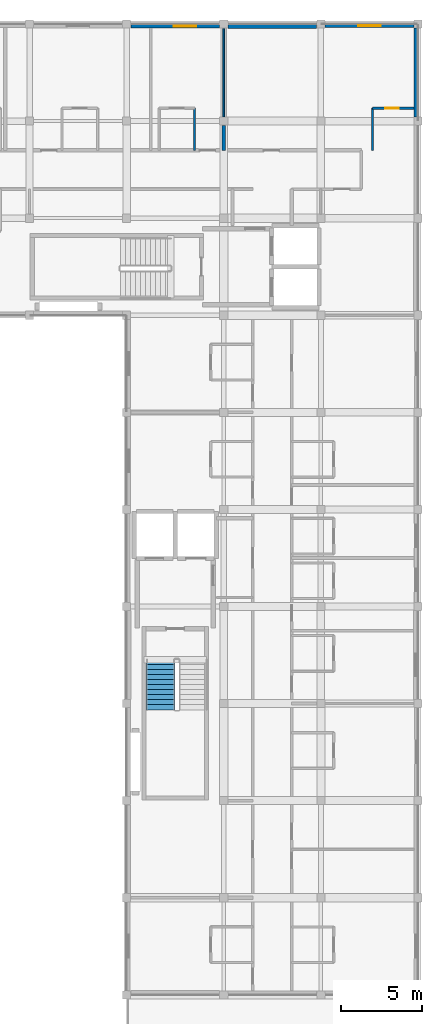
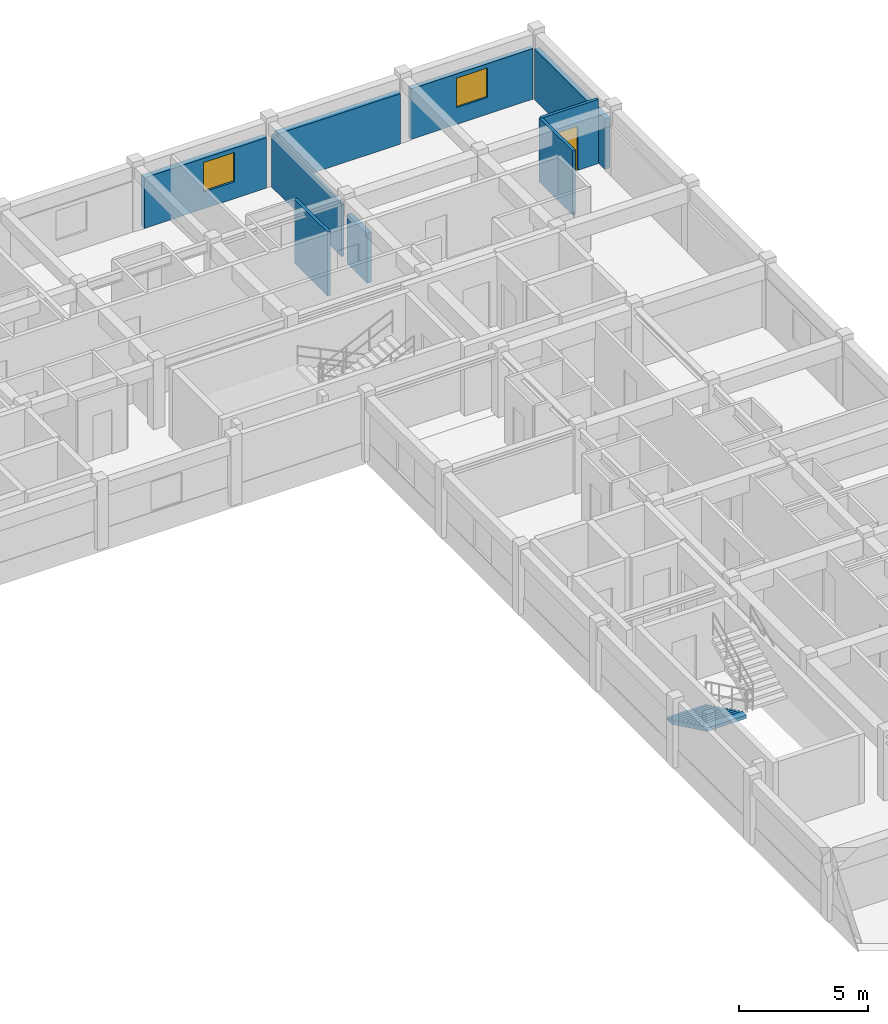
# One storey, part 9 of 14: 9 walls, 2 windows, 1 door, 1 stair flight, 3 openings, 1 element without a shape of its own.
"""IFC4 building model written with IfcOpenShell, lengths in metres."""

from ifc_helpers import new_model, si_unit, direction, frame, frame_2d, origin, place, context, subcontext, project, spatial, polyline, rectangle, outline, extrude, material, layer, layer_set, type_object, element, fill, aggregate, save


model = new_model("IFC4")

# Units and contexts
model_context = context("Model", 3, precision=1e-05, world=origin(), true_north=direction((0.0, 1.0)))
body_context = subcontext(model_context, "Body", "Model", "MODEL_VIEW")
ifc_project = project(units=[si_unit("LENGTHUNIT", "METRE"), si_unit("AREAUNIT", "SQUARE_METRE"), si_unit("VOLUMEUNIT", "CUBIC_METRE"), si_unit("PLANEANGLEUNIT", "RADIAN"), si_unit("MASSUNIT", "GRAM", prefix="KILO"), si_unit("THERMODYNAMICTEMPERATUREUNIT", "KELVIN"), si_unit("POWERUNIT", "WATT")], contexts=[model_context])

# Site, building, storey
site_placement = place(None, origin())
site = spatial("IfcSite", under=ifc_project, at=site_placement, CompositionType="ELEMENT")
building_placement = place(site_placement, origin())
building = spatial("IfcBuilding", under=site, at=building_placement, Name="Phaisarnlok Congress Hotel", CompositionType="ELEMENT")
storey_placement = place(building_placement, frame((0.0, 0.0, 44.699951171875)))
storey = spatial("IfcBuildingStorey", under=building, at=storey_placement, Name="L11", CompositionType="ELEMENT", Elevation=44.699951171875)

# Wall, opening, window
ifc_material_1 = material(Name="Concrete C40/50", Category="concrete")
ifc_layer_1 = layer(ifc_material_1, 0.2099609375, Name="Concrete C40/50")
ifc_layer_set_1 = layer_set([ifc_layer_1], Name="Concrete C40/50")
wall_type_1 = type_object("IfcWallType", Name="WL-EXT-210", PredefinedType="SOLIDWALL", material=ifc_layer_set_1)
wall_1_placement = place(storey_placement, frame((179.7451171875, 125.89501953125, 0.0), z_axis=(0.0, 0.0, 1.0), x_axis=(-1.0, 0.0, 0.0)))
wall_1 = element("IfcWall", 1, at=wall_1_placement, inside=storey, type_object=wall_type_1, Name="Exterior wall EW-07 (L11)", PredefinedType="SOLIDWALL", context=body_context, shape_type="SweptSolid", body=[
    extrude(rectangle(XDim=5.490234375, YDim=0.2099609375, at=frame_2d((2.7451171875, 0.0))), origin(), (0.0, 0.0, 1.0), 2.400146484375),
])
opening_1_placement = place(wall_1_placement, frame((2.044921875, 0.0, 0.800048828125)))
opening_1 = element("IfcOpeningElement", 2, at=opening_1_placement, cuts=wall_1, Name="Opening W-13", PredefinedType="OPENING", context=body_context, shape_type="SweptSolid", body=[
    extrude(rectangle(XDim=1.39990234375, YDim=1.39990234375, at=frame_2d((0.699951171875, 0.699951171875))), frame((0.0, 0.114990234375, 0.0), z_axis=(0.0, -1.0, 0.0), x_axis=(1.0, 0.0, 0.0)), (0.0, 0.0, 1.0), 0.22998046875),
])
ifc_material_2 = material(Name="Thermally Broken Aluminium & Low-E Double Glazing", Category="aluminium")
window_type = type_object("IfcWindowType", Name="WIN-POD-1400", PartitioningType="SINGLE_PANEL", PredefinedType="WINDOW", material=ifc_material_2)
window_1_placement = place(opening_1_placement, origin())
window_1 = element("IfcWindow", 3, at=window_1_placement, inside=storey, type_object=window_type, Name="Guestroom window W-13 (L11)", OverallHeight=1.39990234375, OverallWidth=1.39990234375, PartitioningType="SINGLE_PANEL", PredefinedType="WINDOW", context=body_context, shape_type="SweptSolid", body=[
    extrude(rectangle(XDim=1.39990234375, YDim=1.39990234375, at=frame_2d((0.699951171875, 0.699951171875))), frame((0.0, 0.030029296875, 0.0), z_axis=(0.0, -1.0, 0.0), x_axis=(1.0, 0.0, 0.0)), (0.0, 0.0, 1.0), 0.06005859375),
])
fill(opening_1, window_1)

# Wall
ifc_layer_2 = layer(ifc_material_1, 0.22998046875, Name="Concrete C40/50")
ifc_layer_set_2 = layer_set([ifc_layer_2], Name="Concrete C40/50")
wall_type_2 = type_object("IfcWallType", Name="WL-EXT-230", PredefinedType="SOLIDWALL", material=ifc_layer_set_2)
wall_2_placement = place(storey_placement, frame((179.885009765625, 120.2548828125, 0.0), z_axis=(0.0, 0.0, 1.0), x_axis=(0.0, 1.0, 0.0)))
element("IfcWall", 4, at=wall_2_placement, inside=storey, type_object=wall_type_2, Name="Exterior wall EW-06 (L11)", PredefinedType="SOLIDWALL", context=body_context, shape_type="SweptSolid", body=[
    extrude(rectangle(XDim=5.490234375, YDim=0.22998046875, at=frame_2d((2.7451171875, 0.0))), origin(), (0.0, 0.0, 1.0), 2.400146484375),
])

# Wall, opening, window
ifc_layer_3 = layer(ifc_material_1, 0.25, Name="Concrete C40/50")
ifc_layer_set_3 = layer_set([ifc_layer_3], Name="Concrete C40/50")
wall_type_3 = type_object("IfcWallType", Name="WL-EXT-250", PredefinedType="SOLIDWALL", material=ifc_layer_set_3)
wall_3_placement = place(storey_placement, frame((167.7451171875, 125.875, 0.0), z_axis=(0.0, 0.0, 1.0), x_axis=(-1.0, 0.0, 0.0)))
wall_3 = element("IfcWall", 5, at=wall_3_placement, inside=storey, type_object=wall_type_3, Name="Exterior wall EW-05 (L11)", PredefinedType="SOLIDWALL", context=body_context, shape_type="SweptSolid", body=[
    extrude(rectangle(XDim=5.490234375, YDim=0.25, at=frame_2d((2.7451171875, 0.0))), origin(), (0.0, 0.0, 1.0), 2.400146484375),
])
opening_2_placement = place(wall_3_placement, frame((1.431884765625, 0.0, 0.800048828125)))
opening_2 = element("IfcOpeningElement", 6, at=opening_2_placement, cuts=wall_3, Name="Opening W-13", PredefinedType="OPENING", context=body_context, shape_type="SweptSolid", body=[
    extrude(rectangle(XDim=1.39990234375, YDim=1.39990234375, at=frame_2d((0.699951171875, 0.699951171875))), frame((0.0, 0.135009765625, 0.0), z_axis=(0.0, -1.0, 0.0), x_axis=(1.0, 0.0, 0.0)), (0.0, 0.0, 1.0), 0.27001953125),
])
window_2_placement = place(opening_2_placement, origin())
window_2 = element("IfcWindow", 7, at=window_2_placement, inside=storey, type_object=window_type, Name="Guestroom window W-13 (L11)", OverallHeight=1.39990234375, OverallWidth=1.39990234375, PartitioningType="SINGLE_PANEL", PredefinedType="WINDOW", context=body_context, shape_type="SweptSolid", body=[
    extrude(rectangle(XDim=1.39990234375, YDim=1.39990234375, at=frame_2d((0.699951171875, 0.699951171875))), frame((0.0, 0.030029296875, 0.0), z_axis=(0.0, -1.0, 0.0), x_axis=(1.0, 0.0, 0.0)), (0.0, 0.0, 1.0), 0.06005859375),
])
fill(opening_2, window_2)

# Walls
ifc_layer_4 = layer(ifc_material_1, 0.27001953125, Name="Concrete C40/50")
ifc_layer_set_4 = layer_set([ifc_layer_4], Name="Concrete C40/50")
wall_type_4 = type_object("IfcWallType", Name="WL-EXT-270", PredefinedType="SOLIDWALL", material=ifc_layer_set_4)
wall_4_placement = place(storey_placement, frame((173.7451171875, 125.864990234375, 0.0), z_axis=(0.0, 0.0, 1.0), x_axis=(-1.0, 0.0, 0.0)))
element("IfcWall", 8, at=wall_4_placement, inside=storey, type_object=wall_type_4, Name="Exterior wall EW-04 (L11)", PredefinedType="SOLIDWALL", context=body_context, shape_type="SweptSolid", body=[
    extrude(rectangle(XDim=5.490234375, YDim=0.27001953125, at=frame_2d((2.7451171875, 0.0))), origin(), (0.0, 0.0, 1.0), 2.400146484375),
])
ifc_material_3 = material(Name="Service Riser Shaftwall Partition", Category="gypsum")
ifc_layer_5 = layer(ifc_material_3, 0.10498046875, Name="Service Riser Shaftwall Partition")
ifc_layer_set_5 = layer_set([ifc_layer_5], Name="Service Riser Shaftwall Partition")
wall_type_5 = type_object("IfcWallType", Name="WL-INT-105", PredefinedType="PARTITIONING", material=ifc_layer_set_5)
wall_5_placement = place(storey_placement, frame((168.0, 120.2548828125, 0.0), z_axis=(0.0, 0.0, 1.0), x_axis=(0.0, 1.0, 0.0)))
element("IfcWall", 9, at=wall_5_placement, inside=storey, type_object=wall_type_5, Name="Interior partition wall IW-08 (L11)", PredefinedType="PARTITIONING", context=body_context, shape_type="SweptSolid", body=[
    extrude(rectangle(XDim=5.465087890625, YDim=0.10498046875, at=frame_2d((2.732421875, 0.0))), origin(), (0.0, 0.0, 1.0), 2.5),
])
ifc_material_4 = material(Name="Moisture-Resistant Gypsum Partition", Category="gypsum")
ifc_layer_6 = layer(ifc_material_4, 0.135009765625, Name="Moisture-Resistant Gypsum Partition")
ifc_layer_set_6 = layer_set([ifc_layer_6], Name="Moisture-Resistant Gypsum Partition")
wall_type_6 = type_object("IfcWallType", Name="WL-INT-135", PredefinedType="PARTITIONING", material=ifc_layer_set_6)
for number, where, z_axis, x_axis, name in (
    (10, (166.199951171875, 118.199951171875, 0.0), (0.0, 0.0, 1.0), (0.0, 1.0, 0.0), "Interior partition wall IW-06 (L11)"),
    (11, (177.199951171875, 118.199951171875, 0.0), (0.0, 0.0, 1.0), (0.0, 1.0, 0.0), "Interior partition wall IW-06 (L11)"),
):
    element("IfcWall", number, at=place(storey_placement, frame(where, z_axis=z_axis, x_axis=x_axis)), inside=storey, type_object=wall_type_6, Name=name, PredefinedType="PARTITIONING", context=body_context, shape_type="SweptSolid", body=[
        extrude(rectangle(XDim=2.60009765625, YDim=0.135009765625, at=frame_2d((1.300048828125, 0.0))), origin(), (0.0, 0.0, 1.0), 3.050048828125),
    ])

# Wall, opening, door
wall_6_placement = place(storey_placement, frame((177.199951171875, 120.800048828125, 0.0), z_axis=(0.0, 0.0, 1.0), x_axis=(1.0, 0.0, 0.0)))
wall_6 = element("IfcWall", 12, at=wall_6_placement, inside=storey, type_object=wall_type_6, Name="Interior partition wall IW-06 (L11)", PredefinedType="PARTITIONING", context=body_context, shape_type="SweptSolid", body=[
    extrude(rectangle(XDim=2.56494140625, YDim=0.135009765625, at=frame_2d((1.282470703125, 0.0))), origin(), (0.0, 0.0, 1.0), 3.050048828125),
])
opening_3_placement = place(wall_6_placement, frame((0.77490234375, 0.0, 0.0)))
opening_3 = element("IfcOpeningElement", 13, at=opening_3_placement, cuts=wall_6, Name="Opening D-0650", PredefinedType="OPENING", context=body_context, shape_type="SweptSolid", body=[
    extrude(rectangle(XDim=0.85009765625, YDim=2.10009765625, at=frame_2d((0.425048828125, 1.050048828125))), frame((0.0, 0.07763671875, 0.0), z_axis=(0.0, -1.0, 0.0), x_axis=(1.0, 0.0, 0.0)), (0.0, 0.0, 1.0), 0.155029296875),
])
ifc_material_5 = material(Name="Moisture-Resistant Lacquered Timber", Category="wood")
door_type = type_object("IfcDoorType", Name="DR-BATH-850", OperationType="NOTDEFINED", PredefinedType="DOOR", material=ifc_material_5)
door_placement = place(opening_3_placement, origin())
door = element("IfcDoor", 14, at=door_placement, inside=storey, type_object=door_type, Name="Interior door D-0650 (L11)", OperationType="SINGLE_SWING_RIGHT", OverallHeight=2.10009765625, OverallWidth=0.85009765625, PredefinedType="DOOR", context=body_context, shape_type="SweptSolid", body=[
    extrude(rectangle(XDim=0.85009765625, YDim=2.10009765625, at=frame_2d((0.425048828125, 1.050048828125))), frame((0.0, 0.02490234375, 0.0), z_axis=(0.0, -1.0, 0.0), x_axis=(1.0, 0.0, 0.0)), (0.0, 0.0, 1.0), 0.050048828125),
])
fill(opening_3, door)

# Wall
ifc_material_6 = material(Name="Autoclaved Aerated Concrete Block", Category="concrete")
ifc_layer_7 = layer(ifc_material_6, 0.199951171875, Name="Autoclaved Aerated Concrete Block")
ifc_layer_set_7 = layer_set([ifc_layer_7], Name="Autoclaved Aerated Concrete Block")
wall_type_7 = type_object("IfcWallType", Name="WL-INT-200", PredefinedType="PARTITIONING", material=ifc_layer_set_7)
wall_7_placement = place(storey_placement, frame((168.0, 118.199951171875, 0.0), z_axis=(0.0, 0.0, 1.0), x_axis=(0.0, 1.0, 0.0)))
element("IfcWall", 15, at=wall_7_placement, inside=storey, type_object=wall_type_7, Name="Interior partition wall IW-02 (L11)", PredefinedType="PARTITIONING", context=body_context, shape_type="SweptSolid", body=[
    extrude(rectangle(XDim=1.545166015625, YDim=0.199951171875, at=frame_2d((0.7724609375, 0.0))), origin(), (0.0, 0.0, 1.0), 2.35009765625),
])

# Stair, stair flight
stair_type = type_object("IfcStairType", Name="STR-DOG-05", PredefinedType="HALF_TURN_STAIR", material=ifc_material_1)
stair_placement = place(storey_placement, origin())
stair = element("IfcStair", 16, at=stair_placement, inside=storey, type_object=stair_type, Name="L11 ST-09", PredefinedType="HALF_TURN_STAIR")
stair_flight_type = type_object("IfcStairFlightType", Name="SFL-RC-05", PredefinedType="STRAIGHT", material=ifc_material_1)
stair_flight_placement = place(storey_placement, frame((164.090087890625, 86.719970703125, 0.0), z_axis=(0.0, 0.0, 1.0), x_axis=(0.0, -1.0, 0.0)))
stair_flight = element("IfcStairFlight", 17, at=stair_flight_placement, type_object=stair_flight_type, Name="ST-09 flight 1", NumberOfRisers=11, NumberOfTreads=10, PredefinedType="STRAIGHT", RiserHeight=0.15, TreadLength=0.31, context=body_context, shape_type="SweptSolid", body=[
    extrude(outline(polyline([(0.0, 0.0), (0.0, 0.14990234375), (0.31005859375, 0.14990234375), (0.31005859375, 0.300048828125), (0.6201171875, 0.300048828125), (0.6201171875, 0.449951171875), (0.929931640625, 0.449951171875), (0.929931640625, 0.60009765625), (1.239990234375, 0.60009765625), (1.239990234375, 0.75), (1.550048828125, 0.75), (1.550048828125, 0.89990234375), (1.860107421875, 0.89990234375), (1.860107421875, 1.050048828125), (2.169921875, 1.050048828125), (2.169921875, 1.199951171875), (2.47998046875, 1.199951171875), (2.47998046875, 1.35009765625), (2.7900390625, 1.35009765625), (2.7900390625, 1.5), (3.10009765625, 1.5), (3.10009765625, 1.64990234375), (3.10009765625, 1.33349609375), (0.34423828125, 0.0), (0.0, 0.0)])), frame((0.0, 0.89013671875, 0.0), z_axis=(0.0, -1.0, 0.0), x_axis=(1.0, 0.0, 0.0)), (0.0, 0.0, 1.0), 1.780029296875),
])
aggregate(stair, [stair_flight])

save(model, "model.ifc")
